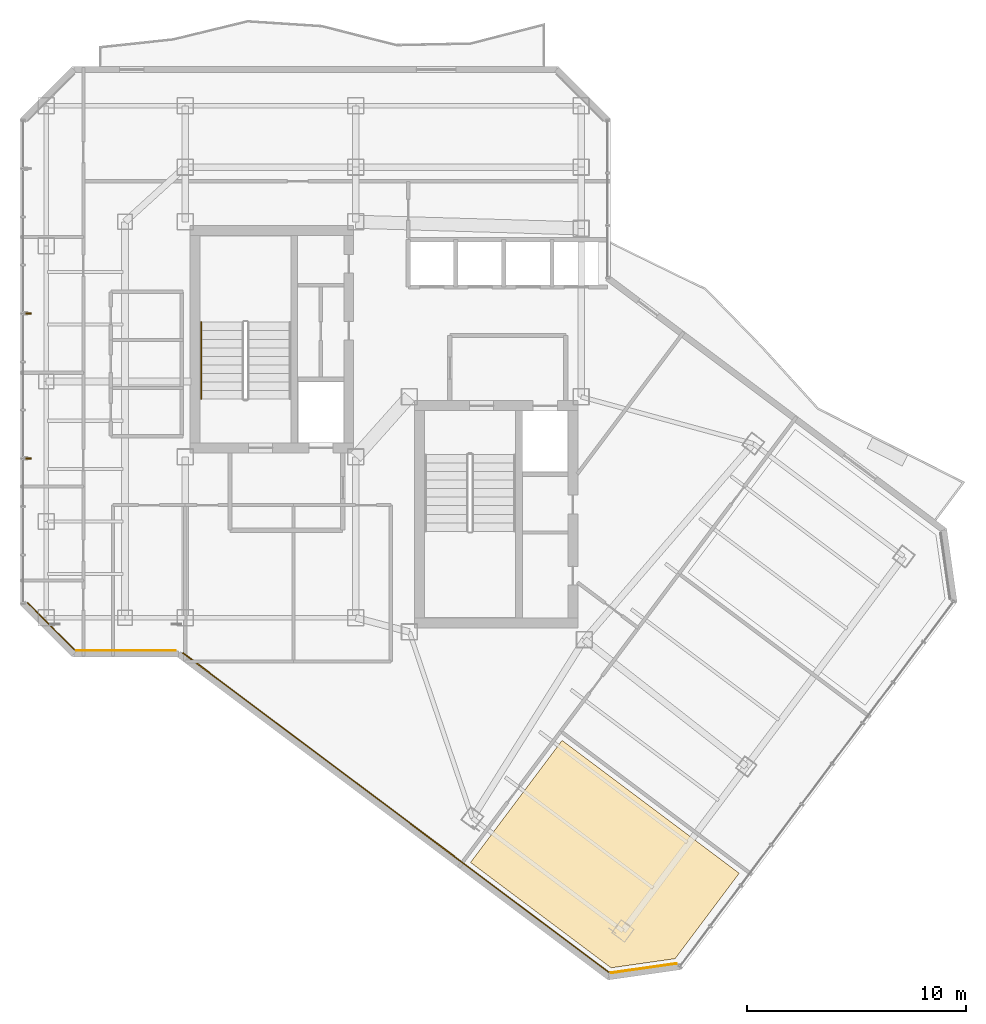
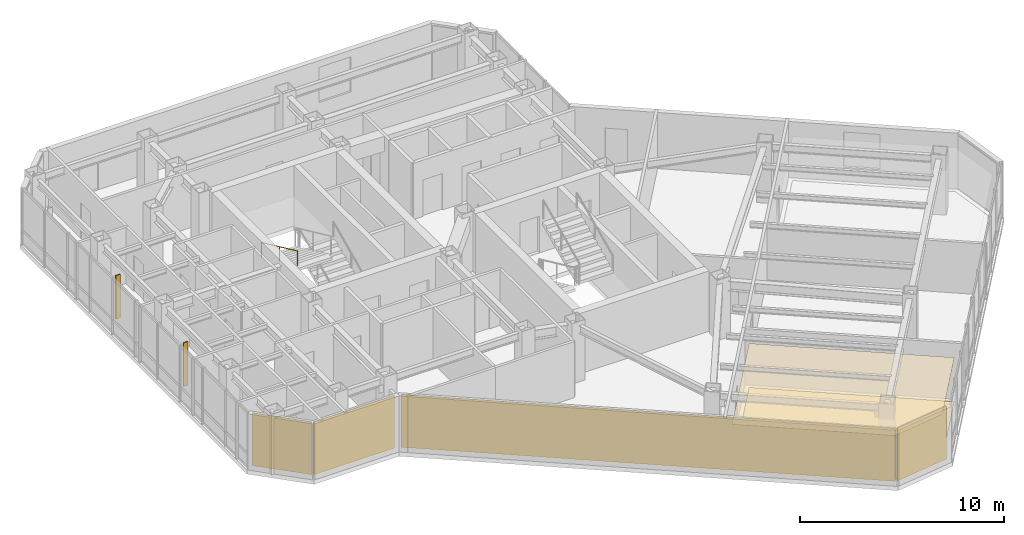
# One storey, part 23 of 26: 6 coverings, 2 shading devices, 1 railing.
"""IFC4 building model written with IfcOpenShell, lengths in metres."""

from ifc_helpers import new_model, si_unit, direction, frame, origin, origin_2d, place, context, subcontext, project, spatial, polyline, rectangle, circle, outline, extrude, material, layer, layer_set, type_object, element, save


model = new_model("IFC4")

# Units and contexts
model_context = context("Model", 3, precision=1e-05, world=origin(), true_north=direction((0.0, 1.0)))
body_context = subcontext(model_context, "Body", "Model", "MODEL_VIEW")
ifc_project = project(units=[si_unit("LENGTHUNIT", "METRE"), si_unit("AREAUNIT", "SQUARE_METRE"), si_unit("VOLUMEUNIT", "CUBIC_METRE"), si_unit("PLANEANGLEUNIT", "RADIAN"), si_unit("MASSUNIT", "GRAM", prefix="KILO")], contexts=[model_context])

# Site, building, storey
site_placement = place(None, origin())
site = spatial("IfcSite", under=ifc_project, at=site_placement, CompositionType="ELEMENT")
building_placement = place(site_placement, origin())
building = spatial("IfcBuilding", under=site, at=building_placement, Name="Hatsunagi Terrace Concourse", CompositionType="ELEMENT")
storey_placement = place(building_placement, frame((0.0, 0.0, 198.75)))
storey = spatial("IfcBuildingStorey", under=building, at=storey_placement, Name="L52", CompositionType="ELEMENT", Elevation=198.75)

# Coverings
ifc_material_1 = material(Name="Acoustic mineral board", Category="gypsum")
ifc_layer_1 = layer(ifc_material_1, 0.02001953125)
ifc_layer_set_1 = layer_set([ifc_layer_1], Name="AcousticMineralCeiling_20")
covering_type_1 = type_object("IfcCoveringType", Name="AcousticMineralCeiling_20", PredefinedType="CEILING", material=ifc_layer_set_1)
covering_1_placement = place(storey_placement, frame((0.0, 0.0, 2.6298828125)))
element("IfcCovering", 1, at=covering_1_placement, inside=storey, type_object=covering_type_1, Name="Suspended Ceiling L52-2", PredefinedType="CEILING", context=body_context, shape_type="SweptSolid", body=[
    extrude(outline(polyline([(47.947998046875, 9.614013671875), (50.8759765625, 13.51806640625), (42.780029296875, 19.590087890625), (38.597900390625, 14.013916015625), (45.02197265625, 9.196044921875), (47.947998046875, 9.614013671875)])), origin(), (0.0, 0.0, 1.0), 0.02001953125),
])
ifc_material_2 = material(Name="Hardwood timber", Category="wood")
ifc_layer_2 = layer(ifc_material_2, 0.014892578125)
ifc_layer_set_2 = layer_set([ifc_layer_2], Name="HardwoodTimberFlooring_15")
covering_type_2 = type_object("IfcCoveringType", Name="HardwoodTimberFlooring_15", PredefinedType="FLOORING", material=ifc_layer_set_2)
covering_2_placement = place(storey_placement, origin())
element("IfcCovering", 2, at=covering_2_placement, inside=storey, type_object=covering_type_2, Name="Finished Flooring L52-2", PredefinedType="FLOORING", context=body_context, shape_type="SweptSolid", body=[
    extrude(outline(polyline([(47.947998046875, 9.614013671875), (50.8759765625, 13.51806640625), (42.780029296875, 19.590087890625), (38.597900390625, 14.013916015625), (45.02197265625, 9.196044921875), (47.947998046875, 9.614013671875)])), origin(), (0.0, 0.0, 1.0), 0.014892578125),
])

# Railing
ifc_material_3 = material(Name="Stainless steel", Category="steel")
ifc_layer_3 = layer(ifc_material_3, 0.044921875)
ifc_layer_set_3 = layer_set([ifc_layer_3], Name="StairPitchHandrail_Tower2000")
railing_type = type_object("IfcRailingType", Name="StairPitchHandrail_Tower2000", PredefinedType="HANDRAIL", material=ifc_layer_set_3)
railing_placement = place(storey_placement, frame((26.280029296875, 38.7099609375, 1.97998046875)))
element("IfcRailing", 3, at=railing_placement, inside=storey, type_object=railing_type, Name="L52 ST-A stair handrail 2", PredefinedType="HANDRAIL", context=body_context, shape_type="SweptSolid", body=[
    extrude(circle(Radius=0.02392578125, at=origin_2d()), frame((0.0, 0.0, 0.8759765625), z_axis=(0.0, -0.907948293929, 0.419082206198), x_axis=(1.0, 0.0, 0.0)), (0.0, 0.0, 1.0), 3.865966796875),
    extrude(circle(Radius=0.02099609375, at=origin_2d()), origin(), (0.0, 0.0, 1.0), 0.851806640625),
    extrude(circle(Radius=0.02099609375, at=origin_2d()), frame((0.0, -1.7548828125, 0.81005859375)), (0.0, 0.0, 1.0), 0.851806640625),
    extrude(circle(Radius=0.02099609375, at=origin_2d()), frame((0.0, -3.510009765625, 1.6201171875)), (0.0, 0.0, 1.0), 0.851806640625),
])

# Shading devices
ifc_material_4 = material(Name="Extruded Unglazed Terracotta Baguette", Category="masonry")
shading_device_type = type_object("IfcShadingDeviceType", Name="TerracottaFinScreen_260x70", PredefinedType="USERDEFINED", material=ifc_material_4)
for number, where, z_axis, x_axis, name in (
    (4, (18.389892578125, 32.48291015625, 0.849853515625), (0.0, 0.0, 1.0), (0.0, 1.0, 0.0), "Terracotta Baguette Fin Screen SCR-01"),
    (5, (18.389892578125, 39.10791015625, 0.849853515625), (0.0, 0.0, 1.0), (0.0, 1.0, 0.0), "Terracotta Baguette Fin Screen SCR-01"),
):
    element("IfcShadingDevice", number, at=place(storey_placement, frame(where, z_axis=z_axis, x_axis=x_axis)), inside=storey, type_object=shading_device_type, Name=name, ObjectType="SUNSHADE", PredefinedType="USERDEFINED", context=body_context, shape_type="SweptSolid", body=[
        extrude(rectangle(XDim=0.070068359375, YDim=0.260009765625, at=origin_2d()), origin(), (0.0, 0.0, 1.0), 2.60009765625),
    ])

# Coverings
ifc_material_5 = material(Name="Unglazed Warm Terracotta Rainscreen Tile", Category="masonry")
ifc_layer_4 = layer(ifc_material_5, 0.044921875)
ifc_layer_set_4 = layer_set([ifc_layer_4], Name="TerracottaRainscreenCladding_45")
covering_type_3 = type_object("IfcCoveringType", Name="TerracottaRainscreenCladding_45", PredefinedType="CLADDING", material=ifc_layer_set_4)
covering_3_placement = place(storey_placement, frame((46.51806640625, 9.178955078125, 0.10009765625), z_axis=(0.0, 0.0, 1.0), x_axis=(-0.989973920543, -0.141250262458, 0.0)))
element("IfcCovering", 6, at=covering_3_placement, inside=storey, type_object=covering_type_3, Name="Terracotta Rainscreen Cladding L52-04", PredefinedType="CLADDING", context=body_context, shape_type="SweptSolid", body=[
    extrude(rectangle(XDim=3.0380859375, YDim=0.044921875, at=origin_2d()), origin(), (0.0, 0.0, 1.0), 3.14990234375),
])
covering_4_placement = place(storey_placement, frame((35.179931640625, 16.29296875, 0.10009765625), z_axis=(0.0, 0.0, 1.0), x_axis=(-0.800005211305, 0.599993051531, 0.0)))
element("IfcCovering", 7, at=covering_4_placement, inside=storey, type_object=covering_type_3, Name="Terracotta Rainscreen Cladding L52-05", PredefinedType="CLADDING", context=body_context, shape_type="SweptSolid", body=[
    extrude(rectangle(XDim=24.34912109375, YDim=0.044921875, at=origin_2d()), origin(), (0.0, 0.0, 1.0), 3.14990234375),
])
covering_5_placement = place(storey_placement, frame((22.85205078125, 23.701904296875, 0.10009765625), z_axis=(0.0, 0.0, 1.0), x_axis=(-1.0, 0.0, 0.0)))
element("IfcCovering", 8, at=covering_5_placement, inside=storey, type_object=covering_type_3, Name="Terracotta Rainscreen Cladding L52-06", PredefinedType="CLADDING", context=body_context, shape_type="SweptSolid", body=[
    extrude(rectangle(XDim=4.549072265625, YDim=0.044921875, at=origin_2d()), origin(), (0.0, 0.0, 1.0), 3.14990234375),
])
covering_6_placement = place(storey_placement, frame((19.4140625, 24.81396484375, 0.10009765625), z_axis=(0.0, 0.0, 1.0), x_axis=(-0.707106781187, 0.707106781187, 0.0)))
element("IfcCovering", 9, at=covering_6_placement, inside=storey, type_object=covering_type_3, Name="Terracotta Rainscreen Cladding L52-07", PredefinedType="CLADDING", context=body_context, shape_type="SweptSolid", body=[
    extrude(rectangle(XDim=3.0380859375, YDim=0.044921875, at=origin_2d()), origin(), (0.0, 0.0, 1.0), 3.14990234375),
])

save(model, "model.ifc")
